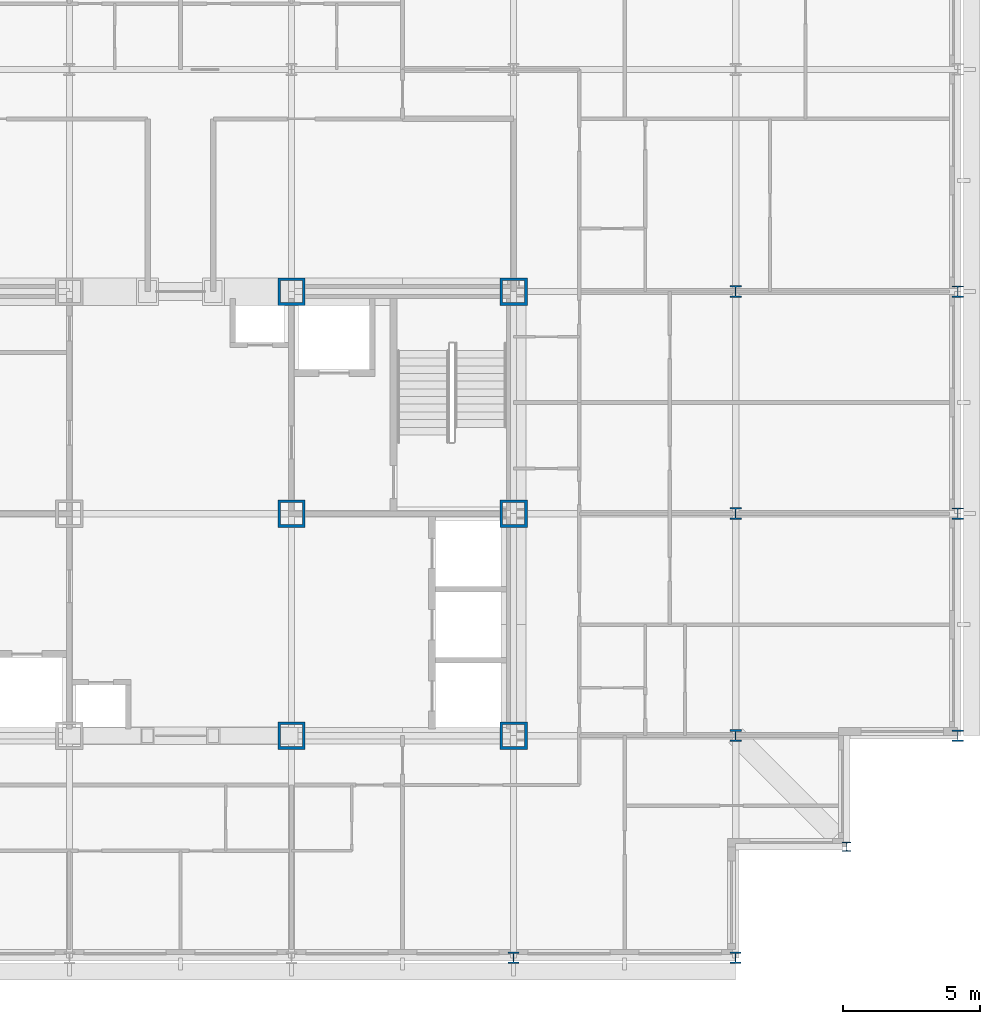
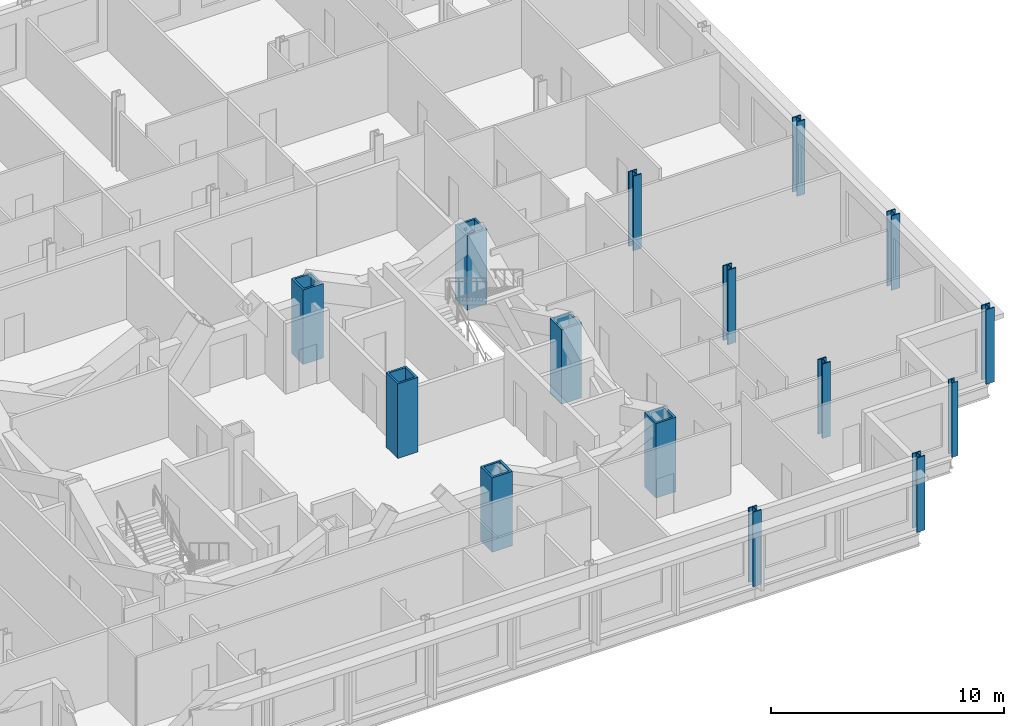
# One storey, part 2 of 15: 15 columns.
"""IFC4 building model written with IfcOpenShell, lengths in metres."""

from ifc_helpers import new_model, si_unit, direction, frame, origin, origin_2d, place, context, subcontext, project, spatial, hollow_rectangle, i_section, extrude, material, material_profile, profile_set, type_object, element, save


model = new_model("IFC4")

# Units and contexts
model_context = context("Model", 3, precision=1e-05, world=origin(), true_north=direction((0.0, 1.0)))
body_context = subcontext(model_context, "Body", "Model", "MODEL_VIEW")
ifc_project = project(units=[si_unit("LENGTHUNIT", "METRE"), si_unit("AREAUNIT", "SQUARE_METRE"), si_unit("VOLUMEUNIT", "CUBIC_METRE"), si_unit("PLANEANGLEUNIT", "RADIAN"), si_unit("MASSUNIT", "GRAM", prefix="KILO")], contexts=[model_context])

# Site, building, storey
site_placement = place(None, origin())
site = spatial("IfcSite", under=ifc_project, at=site_placement, CompositionType="ELEMENT")
building_placement = place(site_placement, origin())
building = spatial("IfcBuilding", under=site, at=building_placement, Name="Kopane Lantern Tower", CompositionType="ELEMENT")
storey_placement = place(building_placement, frame((0.0, 0.0, 289.199951171875)))
storey = spatial("IfcBuildingStorey", under=building, at=storey_placement, Name="L74", CompositionType="ELEMENT", Elevation=289.199951171875)

# Columns
ifc_material_1 = material(Name="Steel S355JR", Category="steel")
ifc_material_profile_1 = material_profile(ifc_material_1, hollow_rectangle(XDim=1.0, YDim=1.0, WallThickness=0.10009765625, at=origin_2d()), Name="BOX 1000x1000x100")
ifc_profile_set_1 = profile_set([ifc_material_profile_1], Name="Steel S355JR")
column_type_1 = type_object("IfcColumnType", Name="COLUMN BOX 1000x1000x100", PredefinedType="COLUMN", material=ifc_profile_set_1)
for number, where, z_axis, x_axis, name in (
    (1, (32.39990234375, 24.300048828125, 0.0), (0.0, 0.0, 1.0), (1.0, 0.0, 0.0), "Column 6/E L74"),
    (2, (32.39990234375, 32.39990234375, 0.0), (0.0, 0.0, 1.0), (1.0, 0.0, 0.0), "Column 6/F L74"),
    (3, (32.39990234375, 40.5, 0.0), (0.0, 0.0, 1.0), (1.0, 0.0, 0.0), "Column 6/G L74"),
    (4, (40.5, 24.300048828125, 0.0), (0.0, 0.0, 1.0), (1.0, 0.0, 0.0), "Column 7/E L74"),
    (5, (40.5, 32.39990234375, 0.0), (0.0, 0.0, 1.0), (1.0, 0.0, 0.0), "Column 7/F L74"),
    (6, (40.5, 40.5, 0.0), (0.0, 0.0, 1.0), (1.0, 0.0, 0.0), "Column 7/G L74"),
):
    element("IfcColumn", number, at=place(storey_placement, frame(where, z_axis=z_axis, x_axis=x_axis)), inside=storey, type_object=column_type_1, Name=name, PredefinedType="COLUMN", context=body_context, shape_type="SweptSolid", body=[
        extrude(hollow_rectangle(XDim=1.0, YDim=1.0, WallThickness=0.10009765625, at=origin_2d()), origin(), (0.0, 0.0, 1.0), 3.900146484375),
    ])
ifc_material_2 = material(Name="Steel S355JR", Category="steel")
ifc_material_profile_2 = material_profile(ifc_material_2, i_section(OverallWidth=0.307373046875, OverallDepth=0.314453125, WebThickness=0.011962890625, FlangeThickness=0.018798828125, FilletRadius=0.01513671875, at=origin_2d()), Name="UC 305x305x118")
ifc_profile_set_2 = profile_set([ifc_material_profile_2], Name="Steel S355JR")
column_type_2 = type_object("IfcColumnType", Name="COLUMN UC 305x305x118", PredefinedType="COLUMN", material=ifc_profile_set_2)
column_placement = place(storey_placement, frame((52.64990234375, 20.25, 0.0), z_axis=(0.0, 0.0, 1.0), x_axis=(1.0, 0.0, 0.0)))
element("IfcColumn", 7, at=column_placement, inside=storey, type_object=column_type_2, Name="Column 52.65/20.25 L74", PredefinedType="COLUMN", context=body_context, shape_type="SweptSolid", body=[
    extrude(i_section(OverallWidth=0.307373046875, OverallDepth=0.314453125, WebThickness=0.011962890625, FlangeThickness=0.018798828125, FilletRadius=0.01513671875, at=origin_2d()), origin(), (0.0, 0.0, 1.0), 3.900146484375),
])
ifc_material_3 = material(Name="Steel S355JR", Category="steel")
ifc_material_profile_3 = material_profile(ifc_material_3, i_section(OverallWidth=0.406982421875, OverallDepth=0.4189453125, WebThickness=0.030517578125, FlangeThickness=0.04931640625, FilletRadius=0.01513671875, at=origin_2d()), Name="UC 356x406x393")
ifc_profile_set_3 = profile_set([ifc_material_profile_3], Name="Steel S355JR")
column_type_3 = type_object("IfcColumnType", Name="COLUMN UC 356x406x393", PredefinedType="COLUMN", material=ifc_profile_set_3)
for number, where, z_axis, x_axis, name in (
    (8, (40.5, 16.199951171875, 0.0), (0.0, 0.0, 1.0), (1.0, 0.0, 0.0), "Column 7/D L74"),
    (9, (48.60009765625, 16.199951171875, 0.0), (0.0, 0.0, 1.0), (1.0, 0.0, 0.0), "Column 8/D L74"),
    (10, (56.699951171875, 24.300048828125, 0.0), (0.0, 0.0, 1.0), (1.0, 0.0, 0.0), "Column 9/E L74"),
    (11, (56.699951171875, 32.39990234375, 0.0), (0.0, 0.0, 1.0), (1.0, 0.0, 0.0), "Column 9/F L74"),
    (12, (56.699951171875, 40.5, 0.0), (0.0, 0.0, 1.0), (1.0, 0.0, 0.0), "Column 9/G L74"),
):
    element("IfcColumn", number, at=place(storey_placement, frame(where, z_axis=z_axis, x_axis=x_axis)), inside=storey, type_object=column_type_3, Name=name, PredefinedType="COLUMN", context=body_context, shape_type="SweptSolid", body=[
        extrude(i_section(OverallWidth=0.406982421875, OverallDepth=0.4189453125, WebThickness=0.030517578125, FlangeThickness=0.04931640625, FilletRadius=0.01513671875, at=origin_2d()), origin(), (0.0, 0.0, 1.0), 3.900146484375),
    ])
ifc_material_4 = material(Name="Steel S355JR", Category="steel")
ifc_material_profile_4 = material_profile(ifc_material_4, i_section(OverallWidth=0.412109375, OverallDepth=0.4365234375, WebThickness=0.035888671875, FlangeThickness=0.05810546875, FilletRadius=0.01513671875, at=origin_2d()), Name="UC 356x406x467")
ifc_profile_set_4 = profile_set([ifc_material_profile_4], Name="Steel S355JR")
column_type_4 = type_object("IfcColumnType", Name="COLUMN UC 356x406x467", PredefinedType="COLUMN", material=ifc_profile_set_4)
for number, where, z_axis, x_axis, name in (
    (13, (48.60009765625, 24.300048828125, 0.0), (0.0, 0.0, 1.0), (1.0, 0.0, 0.0), "Column 8/E L74"),
    (14, (48.60009765625, 32.39990234375, 0.0), (0.0, 0.0, 1.0), (1.0, 0.0, 0.0), "Column 8/F L74"),
    (15, (48.60009765625, 40.5, 0.0), (0.0, 0.0, 1.0), (1.0, 0.0, 0.0), "Column 8/G L74"),
):
    element("IfcColumn", number, at=place(storey_placement, frame(where, z_axis=z_axis, x_axis=x_axis)), inside=storey, type_object=column_type_4, Name=name, PredefinedType="COLUMN", context=body_context, shape_type="SweptSolid", body=[
        extrude(i_section(OverallWidth=0.412109375, OverallDepth=0.4365234375, WebThickness=0.035888671875, FlangeThickness=0.05810546875, FilletRadius=0.01513671875, at=origin_2d()), origin(), (0.0, 0.0, 1.0), 3.900146484375),
    ])

save(model, "model.ifc")
